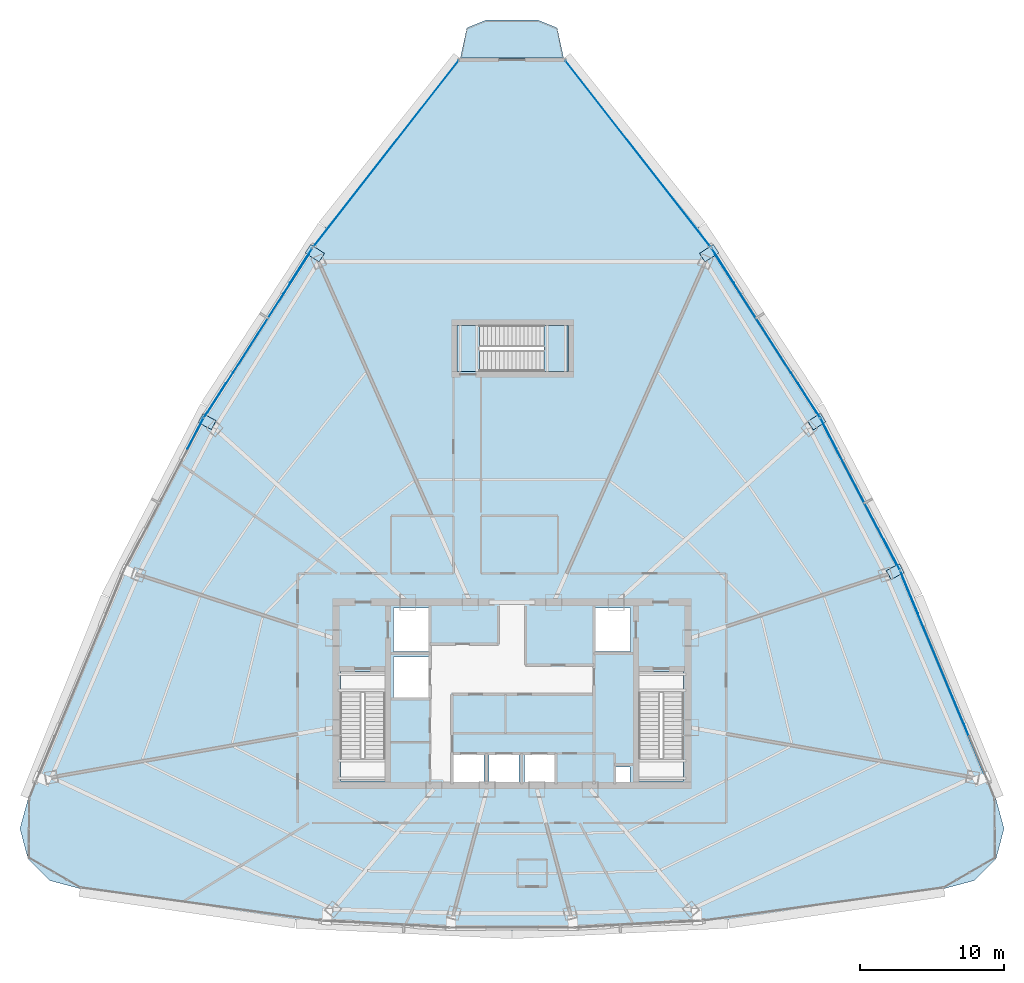
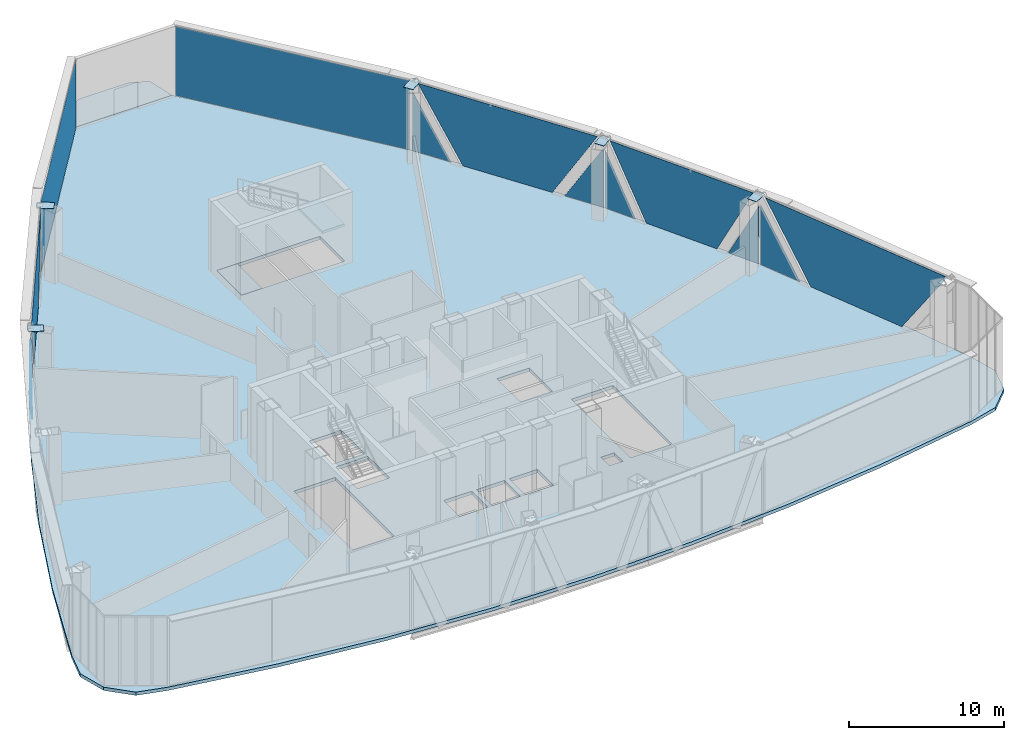
# One storey, part 30 of 38: 19 plates, 4 slabs, 8 elements without a shape of their own.
"""IFC4 building model written with IfcOpenShell, lengths in metres."""

from ifc_helpers import new_model, si_unit, direction, frame, origin, origin_2d, place, context, subcontext, project, spatial, polyline, rectangle, outline, extrude, source, transform, mapped, material, layer, layer_set, type_object, element, aggregate, save


model = new_model("IFC4")

# Units and contexts
model_context = context("Model", 3, precision=1e-05, world=origin(), true_north=direction((0.0, 1.0)))
body_context = subcontext(model_context, "Body", "Model", "MODEL_VIEW")
ifc_project = project(units=[si_unit("LENGTHUNIT", "METRE"), si_unit("AREAUNIT", "SQUARE_METRE"), si_unit("VOLUMEUNIT", "CUBIC_METRE"), si_unit("PLANEANGLEUNIT", "RADIAN"), si_unit("MASSUNIT", "GRAM", prefix="KILO"), si_unit("THERMODYNAMICTEMPERATUREUNIT", "KELVIN"), si_unit("POWERUNIT", "WATT")], contexts=[model_context])

# Site, building, storey
site_placement = place(None, origin())
site = spatial("IfcSite", under=ifc_project, at=site_placement, CompositionType="ELEMENT")
building_placement = place(site_placement, origin())
building = spatial("IfcBuilding", under=site, at=building_placement, Name="Yunzhuo Pagoda Commons", CompositionType="ELEMENT")
storey_placement = place(building_placement, frame((0.0, 0.0, 266.909912109375)))
storey = spatial("IfcBuildingStorey", under=building, at=storey_placement, Name="L67", CompositionType="ELEMENT", Elevation=266.909912109375)

# Curtain wall, plates
ifc_material_1 = material(Name="Anodized aluminium 6063-T6", Category="aluminium")
ifc_layer_1 = layer(ifc_material_1, 0.139892578125)
ifc_layer_set_1 = layer_set([ifc_layer_1], Name="Anodized aluminium 6063-T6")
curtain_wall_type = type_object("IfcCurtainWallType", Name="CW-HI High-Zone Ribbon Curtain Wall", PredefinedType="NOTDEFINED", material=ifc_layer_set_1)
curtain_wall_1_placement = place(storey_placement, origin())
curtain_wall_1 = element("IfcCurtainWall", 1, at=curtain_wall_1_placement, inside=storey, type_object=curtain_wall_type, Name="L67 curtain wall CW-L67-F2B2", PredefinedType="NOTDEFINED")
ifc_material_2 = material(Name="Tempered low-e double glazing", Category="glass")
ifc_layer_2 = layer(ifc_material_2, 0.02587890625)
ifc_layer_set_2 = layer_set([ifc_layer_2], Name="Tempered low-e double glazing")
plate_type_1 = type_object("IfcPlateType", Name="CW-HI-P Low-E Double Glazing 26", PredefinedType="CURTAIN_PANEL", material=ifc_layer_set_2)
plate_1_placement = place(storey_placement, frame((77.891845703125, 35.146240234375, 2.78515625), z_axis=(0.922909845486, 0.385016125772, 0.0), x_axis=(-0.385016125772, 0.922909845486, 0.0)))
plate_1 = element("IfcPlate", 2, at=plate_1_placement, type_object=plate_type_1, Name="CW panel 1.1 lite 2", PredefinedType="CURTAIN_PANEL", context=body_context, shape_type="SweptSolid", body=[
    extrude(outline(polyline([(-7.38818359375, 2.72998046875), (-3.6962890625, -2.72998046875), (3.6962890625, -2.72998046875), (7.38818359375, 2.72998046875), (-7.38818359375, 2.72998046875)])), origin(), (0.0, 0.0, 1.0), 0.028076171875),
])
plate_2_placement = place(storey_placement, frame((75.525146484375, 40.897216796875, 2.428955078125), z_axis=(0.922909845486, 0.385016125772, 0.0), x_axis=(-0.385016125772, 0.922909845486, 0.0)))
plate_2 = element("IfcPlate", 3, at=plate_2_placement, type_object=plate_type_1, Name="CW panel 1.1 lite 3", PredefinedType="CURTAIN_PANEL", context=body_context, shape_type="SweptSolid", body=[
    extrude(outline(polyline([(-1.605224609375, -2.373779296875), (1.605224609375, -2.373779296875), (1.605224609375, 2.3740234375), (-1.605224609375, -2.373779296875)])), origin(), (0.0, 0.0, 1.0), 0.028076171875),
])
aggregate(curtain_wall_1, [plate_1, plate_2])

curtain_wall_2_placement = place(storey_placement, origin())
curtain_wall_2 = element("IfcCurtainWall", 4, at=curtain_wall_2_placement, inside=storey, type_object=curtain_wall_type, Name="L67 curtain wall CW-L67-F2B3", PredefinedType="NOTDEFINED")
plate_3_placement = place(storey_placement, frame((74.318603515625, 43.5146484375, 2.3349609375), z_axis=(0.886066126675, 0.46355886267, 0.0), x_axis=(-0.46355886267, 0.886066126675, 0.0)))
plate_3 = element("IfcPlate", 5, at=plate_3_placement, type_object=plate_type_1, Name="CW panel 1.1 lite 1", PredefinedType="CURTAIN_PANEL", context=body_context, shape_type="SweptSolid", body=[
    extrude(outline(polyline([(-1.160888671875, -2.27978515625), (1.160888671875, -2.27978515625), (-1.160888671875, 2.27978515625), (-1.160888671875, -2.27978515625)])), origin(), (0.0, 0.0, 1.0), 0.028076171875),
])
plate_4_placement = place(storey_placement, frame((72.105712890625, 47.679931640625, 2.78515625), z_axis=(0.886066126675, 0.46355886267, 0.0), x_axis=(-0.46355886267, 0.886066126675, 0.0)))
plate_4 = element("IfcPlate", 6, at=plate_4_placement, type_object=plate_type_1, Name="CW panel 1.1 lite 2", PredefinedType="CURTAIN_PANEL", context=body_context, shape_type="SweptSolid", body=[
    extrude(outline(polyline([(-5.483154296875, 2.72998046875), (-2.702880859375, -2.72998046875), (2.702880859375, -2.72998046875), (5.483154296875, 2.72998046875), (-5.483154296875, 2.72998046875)])), origin(), (0.0, 0.0, 1.0), 0.028076171875),
])
plate_5_placement = place(storey_placement, frame((69.94580078125, 51.873291015625, 2.3349609375), z_axis=(0.886066126675, 0.46355886267, 0.0), x_axis=(-0.46355886267, 0.886066126675, 0.0)))
plate_5 = element("IfcPlate", 7, at=plate_5_placement, type_object=plate_type_1, Name="CW panel 1.1 lite 3", PredefinedType="CURTAIN_PANEL", context=body_context, shape_type="SweptSolid", body=[
    extrude(outline(polyline([(-1.160888671875, -2.27978515625), (1.160888671875, -2.27978515625), (1.160888671875, 2.27978515625), (-1.160888671875, -2.27978515625)])), origin(), (0.0, 0.0, 1.0), 0.028076171875),
])
aggregate(curtain_wall_2, [plate_3, plate_4, plate_5])

curtain_wall_3_placement = place(storey_placement, origin())
curtain_wall_3 = element("IfcCurtainWall", 8, at=curtain_wall_3_placement, inside=storey, type_object=curtain_wall_type, Name="L67 curtain wall CW-L67-F2B4", PredefinedType="NOTDEFINED")
plate_6_placement = place(storey_placement, frame((68.590087890625, 54.18896484375, 2.39404296875), z_axis=(0.842255727545, 0.539078184884, 0.0), x_axis=(-0.539078184884, 0.842255727545, 0.0)))
plate_6 = element("IfcPlate", 9, at=plate_6_placement, type_object=plate_type_1, Name="CW panel 1.1 lite 1", PredefinedType="CURTAIN_PANEL", context=body_context, shape_type="SweptSolid", body=[
    extrude(outline(polyline([(-1.40625, -2.3388671875), (1.40625, -2.3388671875), (-1.40625, 2.3388671875), (-1.40625, -2.3388671875)])), origin(), (0.0, 0.0, 1.0), 0.028076171875),
])
plate_7_placement = place(storey_placement, frame((65.575927734375, 58.842529296875, 2.78515625), z_axis=(0.842255727545, 0.539078184884, 0.0), x_axis=(-0.539078184884, 0.842255727545, 0.0)))
plate_7 = element("IfcPlate", 10, at=plate_7_placement, type_object=plate_type_1, Name="CW panel 1.1 lite 2", PredefinedType="CURTAIN_PANEL", context=body_context, shape_type="SweptSolid", body=[
    extrude(outline(polyline([(-6.5341796875, 2.72998046875), (-3.251220703125, -2.72998046875), (3.251220703125, -2.72998046875), (6.5341796875, 2.72998046875), (-6.5341796875, 2.72998046875)])), origin(), (0.0, 0.0, 1.0), 0.028076171875),
])
plate_8_placement = place(storey_placement, frame((62.6123046875, 63.528564453125, 2.39404296875), z_axis=(0.842255727545, 0.539078184884, 0.0), x_axis=(-0.539078184884, 0.842255727545, 0.0)))
plate_8 = element("IfcPlate", 11, at=plate_8_placement, type_object=plate_type_1, Name="CW panel 1.1 lite 3", PredefinedType="CURTAIN_PANEL", context=body_context, shape_type="SweptSolid", body=[
    extrude(outline(polyline([(-1.40625, -2.3388671875), (1.40625, -2.3388671875), (1.40625, 2.3388671875), (-1.40625, -2.3388671875)])), origin(), (0.0, 0.0, 1.0), 0.028076171875),
])
aggregate(curtain_wall_3, [plate_6, plate_7, plate_8])

curtain_wall_4_placement = place(storey_placement, origin())
curtain_wall_4 = element("IfcCurtainWall", 12, at=curtain_wall_4_placement, inside=storey, type_object=curtain_wall_type, Name="L67 curtain wall CW-L67-F3B2", PredefinedType="NOTDEFINED")
plate_9_placement = place(storey_placement, frame((33.3876953125, 63.528564453125, 2.39404296875), z_axis=(-0.842255727545, 0.539078184884, 0.0), x_axis=(-0.539078184884, -0.842255727545, 0.0)))
plate_9 = element("IfcPlate", 13, at=plate_9_placement, type_object=plate_type_1, Name="CW panel 1.1 lite 1", PredefinedType="CURTAIN_PANEL", context=body_context, shape_type="SweptSolid", body=[
    extrude(outline(polyline([(-1.40625, -2.3388671875), (1.40625, -2.3388671875), (-1.40625, 2.3388671875), (-1.40625, -2.3388671875)])), origin(), (0.0, 0.0, 1.0), 0.028076171875),
])
plate_10_placement = place(storey_placement, frame((30.424072265625, 58.842529296875, 2.78515625), z_axis=(-0.842255727545, 0.539078184884, 0.0), x_axis=(-0.539078184884, -0.842255727545, 0.0)))
plate_10 = element("IfcPlate", 14, at=plate_10_placement, type_object=plate_type_1, Name="CW panel 1.1 lite 2", PredefinedType="CURTAIN_PANEL", context=body_context, shape_type="SweptSolid", body=[
    extrude(outline(polyline([(-6.5341796875, 2.72998046875), (-3.251220703125, -2.72998046875), (3.251220703125, -2.72998046875), (6.5341796875, 2.72998046875), (-6.5341796875, 2.72998046875)])), origin(), (0.0, 0.0, 1.0), 0.028076171875),
])
plate_11_placement = place(storey_placement, frame((27.409912109375, 54.18896484375, 2.39404296875), z_axis=(-0.842255727545, 0.539078184884, 0.0), x_axis=(-0.539078184884, -0.842255727545, 0.0)))
plate_11 = element("IfcPlate", 15, at=plate_11_placement, type_object=plate_type_1, Name="CW panel 1.1 lite 3", PredefinedType="CURTAIN_PANEL", context=body_context, shape_type="SweptSolid", body=[
    extrude(outline(polyline([(-1.40625, -2.3388671875), (1.40625, -2.3388671875), (1.40625, 2.3388671875), (-1.40625, -2.3388671875)])), origin(), (0.0, 0.0, 1.0), 0.028076171875),
])
aggregate(curtain_wall_4, [plate_9, plate_10, plate_11])

# Curtain wall, plate
curtain_wall_5_placement = place(storey_placement, origin())
curtain_wall_5 = element("IfcCurtainWall", 16, at=curtain_wall_5_placement, inside=storey, type_object=curtain_wall_type, Name="L67 curtain wall CW-L67-F3B3", PredefinedType="NOTDEFINED")
plate_12_placement = place(storey_placement, frame((26.05419921875, 51.873291015625, 2.3349609375), z_axis=(-0.886066126675, 0.46355886267, 0.0), x_axis=(-0.46355886267, -0.886066126675, 0.0)))
plate_12 = element("IfcPlate", 17, at=plate_12_placement, type_object=plate_type_1, Name="CW panel 1.1 lite 1", PredefinedType="CURTAIN_PANEL", context=body_context, shape_type="SweptSolid", body=[
    extrude(outline(polyline([(-1.160888671875, -2.27978515625), (1.160888671875, -2.27978515625), (-1.160888671875, 2.27978515625), (-1.160888671875, -2.27978515625)])), origin(), (0.0, 0.0, 1.0), 0.028076171875),
])
aggregate(curtain_wall_5, [plate_12])

# Slab
ifc_material_3 = material(Name="Concrete C40", Category="concrete")
ifc_layer_3 = layer(ifc_material_3, 0.199951171875)
ifc_layer_set_3 = layer_set([ifc_layer_3], Name="Concrete C40")
slab_type_1 = type_object("IfcSlabType", Name="SL-BAL Vertex Balcony Deck Slab 200", PredefinedType="FLOOR", material=ifc_layer_set_3)
slab_1_placement = place(storey_placement, frame((0.0, 0.0, -0.199951171875)))
element("IfcSlab", 18, at=slab_1_placement, inside=storey, type_object=slab_type_1, Name="L67 corner balcony V3", PredefinedType="FLOOR", context=body_context, shape_type="SweptSolid", body=[
    extrude(outline(polyline([(51.579345703125, 77.929931640625), (44.420654296875, 77.929931640625), (44.87060546875, 80.02490234375), (46.210205078125, 80.574951171875), (49.789794921875, 80.574951171875), (51.12939453125, 80.02490234375), (51.579345703125, 77.929931640625)])), origin(), (0.0, 0.0, 1.0), 0.199951171875),
])

# Stair, slabs
stair_type = type_object("IfcStairType", Name="ST-C3 North Tower Smokeproof Stair ST3", PredefinedType="HALF_TURN_STAIR", material=ifc_material_3)
stair_placement = place(storey_placement, origin())
stair = element("IfcStair", 19, at=stair_placement, inside=storey, type_object=stair_type, Name="L67 North tower smokeproof stair ST3", PredefinedType="HALF_TURN_STAIR")
ifc_layer_4 = layer(ifc_material_3, 0.2041015625)
ifc_layer_set_4 = layer_set([ifc_layer_4], Name="Concrete C40")
slab_type_2 = type_object("IfcSlabType", Name="SL-LND5 North Landing Slab 204", PredefinedType="LANDING", material=ifc_layer_set_4)
slab_2_placement = place(storey_placement, frame((0.0, 0.0, 2.72509765625)))
slab_2 = element("IfcSlab", 20, at=slab_2_placement, type_object=slab_type_2, Name="ST3 landing 1", PredefinedType="LANDING", context=body_context, shape_type="SweptSolid", body=[
    extrude(outline(polyline([(50.22998046875, 56.199951171875), (51.89990234375, 56.199951171875), (51.89990234375, 59.39990234375), (50.22998046875, 59.39990234375), (50.22998046875, 56.199951171875)])), origin(), (0.0, 0.0, 1.0), 0.199951171875),
])
slab_3_placement = place(storey_placement, frame((0.0, 0.0, -0.199951171875)))
slab_3 = element("IfcSlab", 21, at=slab_3_placement, type_object=slab_type_2, Name="ST3 floor landing L67", PredefinedType="LANDING", context=body_context, shape_type="SweptSolid", body=[
    extrude(outline(polyline([(44.199951171875, 56.199951171875), (45.75, 56.199951171875), (45.75, 59.39990234375), (44.199951171875, 59.39990234375), (44.199951171875, 56.199951171875)])), origin(), (0.0, 0.0, 1.0), 0.199951171875),
])
aggregate(stair, [slab_2, slab_3])

# Slab
ifc_layer_5 = layer(ifc_material_3, 0.260009765625)
ifc_layer_set_5 = layer_set([ifc_layer_5], Name="Concrete C40")
slab_type_3 = type_object("IfcSlabType", Name="SL-TWR Typical Tower Floor Slab 260", PredefinedType="FLOOR", material=ifc_layer_set_5)
slab_4_placement = place(storey_placement, frame((0.0, 0.0, -0.260009765625)))
element("IfcSlab", 22, at=slab_4_placement, inside=storey, type_object=slab_type_3, Name="L67 structural floor slab", PredefinedType="FLOOR", context=body_context, shape_type="SweptSolid", body=[
    extrude(outline(polyline([(17.097412109375, 33.6484375), (20.056396484375, 40.52490234375), (23.329833984375, 47.2177734375), (26.91845703125, 53.726806640625), (30.82177734375, 60.052001953125), (35.039794921875, 66.193603515625), (39.57275390625, 72.151123046875), (44.420654296875, 77.925048828125), (51.579345703125, 77.925048828125), (56.42724609375, 72.151123046875), (60.960205078125, 66.193603515625), (65.17822265625, 60.052001953125), (69.08154296875, 53.726806640625), (72.670166015625, 47.2177734375), (75.943603515625, 40.52490234375), (78.902587890625, 33.6484375), (81.54638671875, 26.588134765625), (82.111572265625, 24.513671875), (81.561279296875, 22.43505859375), (80.043701171875, 20.912109375), (77.967041015625, 20.354248046875), (70.475341796875, 19.078369140625), (62.983642578125, 18.1669921875), (55.49169921875, 17.6201171875), (48.0, 17.437744140625), (40.50830078125, 17.6201171875), (33.0166015625, 18.1669921875), (25.524658203125, 19.078369140625), (18.032958984375, 20.354248046875), (15.956298828125, 20.912109375), (14.438720703125, 22.43505859375), (13.888427734375, 24.513671875), (14.45361328125, 26.588134765625), (17.097412109375, 33.6484375)]), holes=[polyline([(56.179931640625, 28.800048828125), (55.179931640625, 28.800048828125), (55.179931640625, 27.699951171875), (56.179931640625, 27.699951171875), (56.179931640625, 28.800048828125)]), polyline([(46.050048828125, 29.64990234375), (43.949951171875, 29.64990234375), (43.949951171875, 27.60009765625), (46.050048828125, 27.60009765625), (46.050048828125, 29.64990234375)]), polyline([(48.5, 29.64990234375), (46.39990234375, 29.64990234375), (46.39990234375, 27.60009765625), (48.5, 27.60009765625), (48.5, 29.64990234375)]), polyline([(50.949951171875, 27.60009765625), (50.949951171875, 29.64990234375), (48.85009765625, 29.64990234375), (48.85009765625, 27.60009765625), (50.949951171875, 27.60009765625)]), polyline([(36.10009765625, 27.800048828125), (39.199951171875, 27.800048828125), (39.199951171875, 35.39990234375), (36.10009765625, 35.39990234375), (36.10009765625, 27.800048828125)]), polyline([(59.89990234375, 27.800048828125), (59.89990234375, 35.39990234375), (56.800048828125, 35.39990234375), (56.800048828125, 27.800048828125), (59.89990234375, 27.800048828125)]), polyline([(42.199951171875, 36.39990234375), (39.800048828125, 36.39990234375), (39.800048828125, 33.60009765625), (42.199951171875, 33.60009765625), (42.199951171875, 36.39990234375)]), polyline([(42.199951171875, 39.800048828125), (39.800048828125, 39.800048828125), (39.800048828125, 36.800048828125), (42.199951171875, 36.800048828125), (42.199951171875, 39.800048828125)]), polyline([(56.199951171875, 36.800048828125), (56.199951171875, 39.800048828125), (53.800048828125, 39.800048828125), (53.800048828125, 36.800048828125), (56.199951171875, 36.800048828125)]), polyline([(51.89990234375, 56.199951171875), (51.89990234375, 59.39990234375), (44.199951171875, 59.39990234375), (44.199951171875, 56.199951171875), (51.89990234375, 56.199951171875)])]), origin(), (0.0, 0.0, 1.0), 0.260009765625),
])

# Plates
ifc_material_4 = material(Name="Structural steel Q355B", Category="steel")
ifc_layer_6 = layer(ifc_material_4, 0.028076171875)
ifc_layer_set_6 = layer_set([ifc_layer_6], Name="Structural steel Q355B")
plate_type_2 = type_object("IfcPlateType", Name="SP-ND1 Lattice Node Cap Plate 800x500x28", PredefinedType="USERDEFINED", material=ifc_layer_set_6)
shared_shape_1 = source(origin(), body_context, "Body", "SweptSolid", [
    extrude(rectangle(XDim=0.699951171875, YDim=1.03564453125, at=origin_2d()), origin(), (0.0, 0.0, 1.0), 0.035888671875),
])
for number, where, z_axis, x_axis, name in (
    (23, (69.137451171875, 52.732421875, 5.5322265625), (0.0, 0.0, 1.0), (-0.539079523742, 0.842254870619, 0.0), "L67 setback lattice tie plate F2.3L"),
    (24, (26.862548828125, 52.732421875, 5.5322265625), (0.0, 0.0, 1.0), (-0.463558956618, -0.886066077524, 0.0), "L67 setback lattice tie plate F3.2L"),
):
    element("IfcPlate", number, at=place(storey_placement, frame(where, z_axis=z_axis, x_axis=x_axis)), inside=storey, type_object=plate_type_2, Name=name, ObjectType="STIFFENER_PLATE", PredefinedType="USERDEFINED", context=body_context, shape_type="MappedRepresentation", body=[
        mapped(shared_shape_1, transform((0.0, 0.0, 0.0), scale=1.0)),
    ])
shared_shape_2 = source(origin(), body_context, "Body", "SweptSolid", [
    extrude(rectangle(XDim=0.699951171875, YDim=1.144287109375, at=origin_2d()), origin(), (0.0, 0.0, 1.0), 0.035888671875),
])
for number, where, z_axis, x_axis, name in (
    (25, (61.672119140625, 64.408203125, 5.5322265625), (0.0, 0.0, 1.0), (-0.539079523742, 0.842254870619, 0.0), "L67 setback lattice tie plate F2.3R"),
    (26, (34.327880859375, 64.408203125, 5.5322265625), (0.0, 0.0, 1.0), (-0.539079523742, -0.842254870619, 0.0), "L67 setback lattice tie plate F3.1L"),
):
    element("IfcPlate", number, at=place(storey_placement, frame(where, z_axis=z_axis, x_axis=x_axis)), inside=storey, type_object=plate_type_2, Name=name, ObjectType="STIFFENER_PLATE", PredefinedType="USERDEFINED", context=body_context, shape_type="MappedRepresentation", body=[
        mapped(shared_shape_2, transform((0.0, 0.0, 0.0), scale=1.0)),
    ])
shared_shape_3 = source(origin(), body_context, "Body", "SweptSolid", [
    extrude(rectangle(XDim=0.699951171875, YDim=1.0322265625, at=origin_2d()), origin(), (0.0, 0.0, 1.0), 0.035888671875),
])
plate_13_placement = place(storey_placement, frame((74.57275390625, 42.333984375, 5.5322265625), z_axis=(0.0, 0.0, 1.0), x_axis=(-0.463558956618, 0.886066077524, 0.0)))
element("IfcPlate", 27, at=plate_13_placement, inside=storey, type_object=plate_type_2, Name="L67 setback lattice tie plate F2.2L", ObjectType="STIFFENER_PLATE", PredefinedType="USERDEFINED", context=body_context, shape_type="MappedRepresentation", body=[
    mapped(shared_shape_3, transform((0.0, 0.0, 0.0), scale=1.0)),
])

# Curtain wall, plate
curtain_wall_6_placement = place(storey_placement, origin())
curtain_wall_6 = element("IfcCurtainWall", 28, at=curtain_wall_6_placement, inside=storey, type_object=curtain_wall_type, Name="L67 curtain wall CW-L67-F2B5", PredefinedType="NOTDEFINED")
shared_shape_4 = source(origin(), body_context, "Body", "SweptSolid", [
    extrude(rectangle(XDim=16.32275390625, YDim=0.028076171875, at=origin_2d()), origin(), (0.0, 0.0, 1.0), 5.4599609375),
])
plate_14_placement = place(storey_placement, frame((56.73095703125, 71.3125, 0.05517578125), z_axis=(0.0, 0.0, 1.0), x_axis=(-0.615060384235, 0.788480008462, 0.0)))
plate_14 = element("IfcPlate", 29, at=plate_14_placement, type_object=plate_type_1, Name="CW panel 1.1", PredefinedType="CURTAIN_PANEL", context=body_context, shape_type="MappedRepresentation", body=[
    mapped(shared_shape_4, transform((0.0, 0.0, 0.0), scale=1.0)),
])
aggregate(curtain_wall_6, [plate_14])

curtain_wall_7_placement = place(storey_placement, origin())
curtain_wall_7 = element("IfcCurtainWall", 30, at=curtain_wall_7_placement, inside=storey, type_object=curtain_wall_type, Name="L67 curtain wall CW-L67-F3B1", PredefinedType="NOTDEFINED")
plate_15_placement = place(storey_placement, frame((39.26904296875, 71.3125, 0.05517578125), z_axis=(0.0, 0.0, 1.0), x_axis=(-0.615060384235, -0.788480008462, 0.0)))
plate_15 = element("IfcPlate", 31, at=plate_15_placement, type_object=plate_type_1, Name="CW panel 1.1", PredefinedType="CURTAIN_PANEL", context=body_context, shape_type="MappedRepresentation", body=[
    mapped(shared_shape_4, transform((0.0, 0.0, 0.0), scale=1.0)),
])
aggregate(curtain_wall_7, [plate_15])

save(model, "model.ifc")
